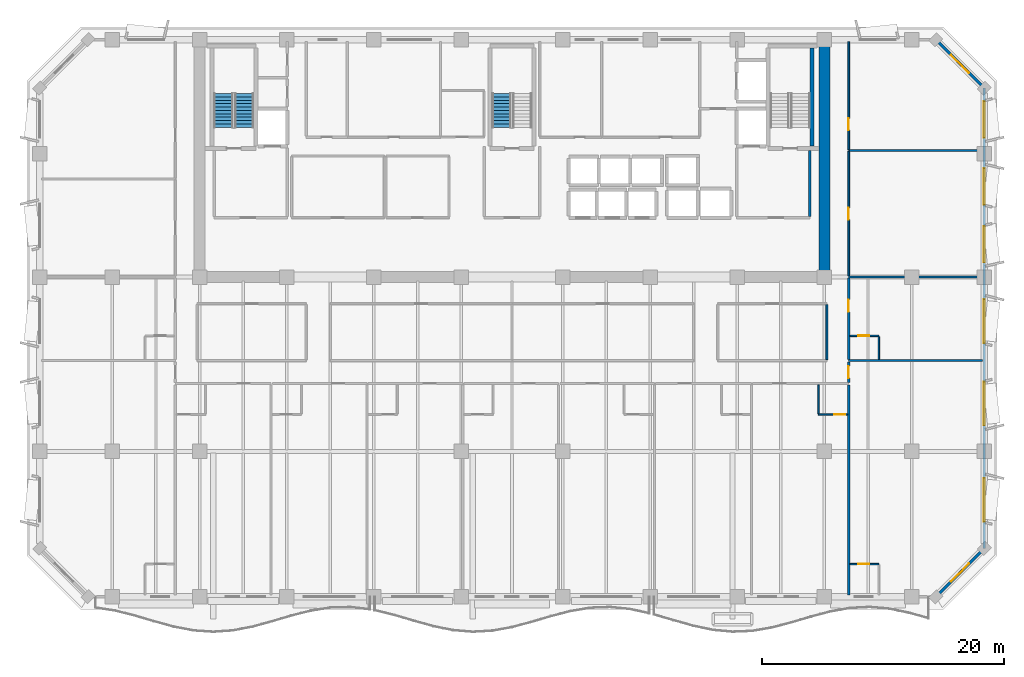
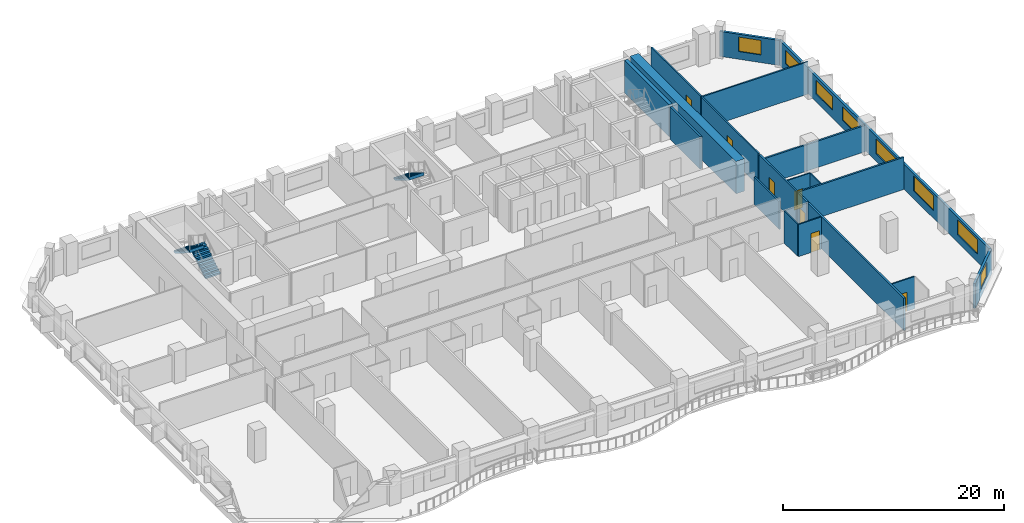
# One storey, part 9 of 15: 20 walls, 8 windows, 7 doors, 3 stair flights, 15 openings, 2 elements without a shape of their own.
"""IFC4 building model written with IfcOpenShell, lengths in metres."""

from ifc_helpers import new_model, si_unit, direction, frame, frame_2d, origin, place, context, subcontext, project, spatial, polyline, rectangle, outline, extrude, material, layer, layer_set, type_object, element, fill, aggregate, save


model = new_model("IFC4")

# Units and contexts
model_context = context("Model", 3, precision=1e-05, world=origin(), true_north=direction((0.0, 1.0)))
body_context = subcontext(model_context, "Body", "Model", "MODEL_VIEW")
ifc_project = project(units=[si_unit("LENGTHUNIT", "METRE"), si_unit("AREAUNIT", "SQUARE_METRE"), si_unit("VOLUMEUNIT", "CUBIC_METRE"), si_unit("PLANEANGLEUNIT", "RADIAN"), si_unit("MASSUNIT", "GRAM", prefix="KILO")], contexts=[model_context])

# Site, building, storey
site_placement = place(None, origin())
site = spatial("IfcSite", under=ifc_project, at=site_placement, CompositionType="ELEMENT")
building_placement = place(site_placement, origin())
building = spatial("IfcBuilding", under=site, at=building_placement, Name="Kaelvorn Grand Hotel", CompositionType="ELEMENT")
storey_placement = place(building_placement, frame((0.0, 0.0, 173.35009765625)))
storey = spatial("IfcBuildingStorey", under=building, at=storey_placement, Name="L42", CompositionType="ELEMENT", Elevation=173.35009765625)

# Wall
ifc_material_1 = material(Name="Concrete C60/75", Category="concrete")
ifc_layer_1 = layer(ifc_material_1, 0.89990234375)
ifc_layer_set_1 = layer_set([ifc_layer_1], Name="Concrete C60/75")
wall_type_1 = type_object("IfcWallType", Name="WL-CORE-900-C60", PredefinedType="SHEAR", material=ifc_layer_set_1)
wall_1_placement = place(storey_placement, frame((67.800048828125, 29.39990234375, 0.0), z_axis=(0.0, 0.0, 1.0), x_axis=(0.0, 1.0, 0.0)))
element("IfcWall", 1, at=wall_1_placement, inside=storey, type_object=wall_type_1, Name="L42 Rear-Core East Shear Wall", PredefinedType="SHEAR", context=body_context, shape_type="SweptSolid", body=[
    extrude(rectangle(XDim=19.2001953125, YDim=0.89990234375, at=frame_2d((9.60009765625, 0.0))), origin(), (0.0, 0.0, 1.0), 3.559814453125),
])

# Wall, opening, window
ifc_material_2 = material(Name="Concrete C40/50", Category="concrete")
ifc_layer_2 = layer(ifc_material_2, 0.239990234375)
ifc_layer_set_2 = layer_set([ifc_layer_2], Name="Concrete C40/50")
wall_type_2 = type_object("IfcWallType", Name="WL-EXT-240-C40", PredefinedType="SOLIDWALL", material=ifc_layer_set_2)
wall_2_placement = place(storey_placement, frame((77.0, 3.0, 0.0), z_axis=(0.0, 0.0, 1.0), x_axis=(0.707106781187, 0.707106781187, 0.0)))
wall_2 = element("IfcWall", 2, at=wall_2_placement, inside=storey, type_object=wall_type_2, Name="L42 Exterior Architectural Concrete Wall 02", PredefinedType="SOLIDWALL", context=body_context, shape_type="SweptSolid", body=[
    extrude(rectangle(XDim=5.65673828125, YDim=0.239990234375, at=frame_2d((2.828369140625, 0.0))), origin(), (0.0, 0.0, 1.0), 2.760009765625),
])
opening_1_placement = place(wall_2_placement, frame((1.7783203125, 0.0, 0.85009765625)))
opening_1 = element("IfcOpeningElement", 3, at=opening_1_placement, cuts=wall_2, Name="Opening W7", PredefinedType="OPENING", context=body_context, shape_type="SweptSolid", body=[
    extrude(rectangle(XDim=2.10009765625, YDim=1.60009765625, at=frame_2d((1.050048828125, 0.800048828125))), frame((0.0, 0.1298828125, 0.0), z_axis=(0.0, -1.0, 0.0), x_axis=(1.0, 0.0, 0.0)), (0.0, 0.0, 1.0), 0.260009765625),
])
ifc_material_3 = material(Name="Laminated Low-E Glass", Category="glass")
window_type_1 = type_object("IfcWindowType", Name="WIN-CHM-2100x1600", PartitioningType="SINGLE_PANEL", PredefinedType="WINDOW", material=ifc_material_3)
window_1_placement = place(opening_1_placement, origin())
window_1 = element("IfcWindow", 4, at=window_1_placement, inside=storey, type_object=window_type_1, Name="L42 Chamfered 45-Degree Corner Window SE", OverallHeight=1.60009765625, OverallWidth=2.10009765625, PartitioningType="SINGLE_PANEL", PredefinedType="WINDOW", context=body_context, shape_type="SweptSolid", body=[
    extrude(rectangle(XDim=2.10009765625, YDim=1.60009765625, at=frame_2d((1.050048828125, 0.800048828125))), frame((0.0, 0.030029296875, 0.0), z_axis=(0.0, -1.0, 0.0), x_axis=(1.0, 0.0, 0.0)), (0.0, 0.0, 1.0), 0.06005859375),
])
fill(opening_1, window_1)

# Wall, openings, windows
wall_3_placement = place(storey_placement, frame((81.0, 7.0, 0.0), z_axis=(0.0, 0.0, 1.0), x_axis=(0.0, 1.0, 0.0)))
wall_3 = element("IfcWall", 5, at=wall_3_placement, inside=storey, type_object=wall_type_2, Name="L42 Exterior Architectural Concrete Wall 03", PredefinedType="SOLIDWALL", context=body_context, shape_type="SweptSolid", body=[
    extrude(rectangle(XDim=38.0, YDim=0.239990234375, at=frame_2d((19.0, 0.0))), origin(), (0.0, 0.0, 1.0), 2.760009765625),
])
opening_2_placement = place(wall_3_placement, frame((2.199951171875, 0.0, 0.85009765625)))
opening_2 = element("IfcOpeningElement", 6, at=opening_2_placement, cuts=wall_3, Name="Opening W3", PredefinedType="OPENING", context=body_context, shape_type="SweptSolid", body=[
    extrude(rectangle(XDim=3.60009765625, YDim=1.64990234375, at=frame_2d((1.800048828125, 0.824951171875))), frame((0.0, 0.1298828125, 0.0), z_axis=(0.0, -1.0, 0.0), x_axis=(1.0, 0.0, 0.0)), (0.0, 0.0, 1.0), 0.260009765625),
])
opening_3_placement = place(wall_3_placement, frame((10.14990234375, 0.0, 0.85009765625)))
opening_3 = element("IfcOpeningElement", 7, at=opening_3_placement, cuts=wall_3, Name="Opening W3", PredefinedType="OPENING", context=body_context, shape_type="SweptSolid", body=[
    extrude(rectangle(XDim=3.60009765625, YDim=1.64990234375, at=frame_2d((1.800048828125, 0.824951171875))), frame((0.0, 0.1298828125, 0.0), z_axis=(0.0, -1.0, 0.0), x_axis=(1.0, 0.0, 0.0)), (0.0, 0.0, 1.0), 0.260009765625),
])
opening_4_placement = place(wall_3_placement, frame((16.949951171875, 0.0, 0.85009765625)))
opening_4 = element("IfcOpeningElement", 8, at=opening_4_placement, cuts=wall_3, Name="Opening W3", PredefinedType="OPENING", context=body_context, shape_type="SweptSolid", body=[
    extrude(rectangle(XDim=3.60009765625, YDim=1.64990234375, at=frame_2d((1.800048828125, 0.824951171875))), frame((0.0, 0.1298828125, 0.0), z_axis=(0.0, -1.0, 0.0), x_axis=(1.0, 0.0, 0.0)), (0.0, 0.0, 1.0), 0.260009765625),
])
opening_5_placement = place(wall_3_placement, frame((23.614990234375, 0.0, 0.85009765625)))
opening_5 = element("IfcOpeningElement", 9, at=opening_5_placement, cuts=wall_3, Name="Opening W5", PredefinedType="OPENING", context=body_context, shape_type="SweptSolid", body=[
    extrude(rectangle(XDim=3.0, YDim=1.5, at=frame_2d((1.5, 0.75))), frame((0.0, 0.1298828125, 0.0), z_axis=(0.0, -1.0, 0.0), x_axis=(1.0, 0.0, 0.0)), (0.0, 0.0, 1.0), 0.260009765625),
])
opening_6_placement = place(wall_3_placement, frame((28.385009765625, 0.0, 0.85009765625)))
opening_6 = element("IfcOpeningElement", 10, at=opening_6_placement, cuts=wall_3, Name="Opening W5", PredefinedType="OPENING", context=body_context, shape_type="SweptSolid", body=[
    extrude(rectangle(XDim=3.0, YDim=1.5, at=frame_2d((1.5, 0.75))), frame((0.0, 0.1298828125, 0.0), z_axis=(0.0, -1.0, 0.0), x_axis=(1.0, 0.0, 0.0)), (0.0, 0.0, 1.0), 0.260009765625),
])
opening_7_placement = place(wall_3_placement, frame((33.9150390625, 0.0, 0.85009765625)))
opening_7 = element("IfcOpeningElement", 11, at=opening_7_placement, cuts=wall_3, Name="Opening W5", PredefinedType="OPENING", context=body_context, shape_type="SweptSolid", body=[
    extrude(rectangle(XDim=3.0, YDim=1.5, at=frame_2d((1.5, 0.75))), frame((0.0, 0.1298828125, 0.0), z_axis=(0.0, -1.0, 0.0), x_axis=(1.0, 0.0, 0.0)), (0.0, 0.0, 1.0), 0.260009765625),
])
window_type_2 = type_object("IfcWindowType", Name="WIN-NTH-3000x1500", PartitioningType="SINGLE_PANEL", PredefinedType="WINDOW", material=ifc_material_3)
window_2_placement = place(opening_5_placement, origin())
window_2 = element("IfcWindow", 12, at=window_2_placement, inside=storey, type_object=window_type_2, Name="L42 E Wing Tilted-Frame Ribbon Window E04", OverallHeight=1.5, OverallWidth=3.0, PartitioningType="SINGLE_PANEL", PredefinedType="WINDOW", context=body_context, shape_type="SweptSolid", body=[
    extrude(rectangle(XDim=3.0, YDim=1.5, at=frame_2d((1.5, 0.75))), frame((0.0, 0.030029296875, 0.0), z_axis=(0.0, -1.0, 0.0), x_axis=(1.0, 0.0, 0.0)), (0.0, 0.0, 1.0), 0.06005859375),
])
fill(opening_5, window_2)
window_3_placement = place(opening_6_placement, origin())
window_3 = element("IfcWindow", 13, at=window_3_placement, inside=storey, type_object=window_type_2, Name="L42 E Wing Tilted-Frame Ribbon Window E05", OverallHeight=1.5, OverallWidth=3.0, PartitioningType="SINGLE_PANEL", PredefinedType="WINDOW", context=body_context, shape_type="SweptSolid", body=[
    extrude(rectangle(XDim=3.0, YDim=1.5, at=frame_2d((1.5, 0.75))), frame((0.0, 0.030029296875, 0.0), z_axis=(0.0, -1.0, 0.0), x_axis=(1.0, 0.0, 0.0)), (0.0, 0.0, 1.0), 0.06005859375),
])
fill(opening_6, window_3)
window_4_placement = place(opening_7_placement, origin())
window_4 = element("IfcWindow", 14, at=window_4_placement, inside=storey, type_object=window_type_2, Name="L42 E Wing Tilted-Frame Ribbon Window E06", OverallHeight=1.5, OverallWidth=3.0, PartitioningType="SINGLE_PANEL", PredefinedType="WINDOW", context=body_context, shape_type="SweptSolid", body=[
    extrude(rectangle(XDim=3.0, YDim=1.5, at=frame_2d((1.5, 0.75))), frame((0.0, 0.030029296875, 0.0), z_axis=(0.0, -1.0, 0.0), x_axis=(1.0, 0.0, 0.0)), (0.0, 0.0, 1.0), 0.06005859375),
])
fill(opening_7, window_4)
window_type_3 = type_object("IfcWindowType", Name="WIN-RIB-3600x1750", PartitioningType="SINGLE_PANEL", PredefinedType="WINDOW", material=ifc_material_3)
window_5_placement = place(opening_2_placement, origin())
window_5 = element("IfcWindow", 15, at=window_5_placement, inside=storey, type_object=window_type_3, Name="L42 E Wing Tilted-Frame Ribbon Window E01", OverallHeight=1.64990234375, OverallWidth=3.60009765625, PartitioningType="SINGLE_PANEL", PredefinedType="WINDOW", context=body_context, shape_type="SweptSolid", body=[
    extrude(rectangle(XDim=3.60009765625, YDim=1.64990234375, at=frame_2d((1.800048828125, 0.824951171875))), frame((0.0, 0.030029296875, 0.0), z_axis=(0.0, -1.0, 0.0), x_axis=(1.0, 0.0, 0.0)), (0.0, 0.0, 1.0), 0.06005859375),
])
fill(opening_2, window_5)
window_6_placement = place(opening_3_placement, origin())
window_6 = element("IfcWindow", 16, at=window_6_placement, inside=storey, type_object=window_type_3, Name="L42 E Wing Tilted-Frame Ribbon Window E02", OverallHeight=1.64990234375, OverallWidth=3.60009765625, PartitioningType="SINGLE_PANEL", PredefinedType="WINDOW", context=body_context, shape_type="SweptSolid", body=[
    extrude(rectangle(XDim=3.60009765625, YDim=1.64990234375, at=frame_2d((1.800048828125, 0.824951171875))), frame((0.0, 0.030029296875, 0.0), z_axis=(0.0, -1.0, 0.0), x_axis=(1.0, 0.0, 0.0)), (0.0, 0.0, 1.0), 0.06005859375),
])
fill(opening_3, window_6)
window_7_placement = place(opening_4_placement, origin())
window_7 = element("IfcWindow", 17, at=window_7_placement, inside=storey, type_object=window_type_3, Name="L42 E Wing Tilted-Frame Ribbon Window E03", OverallHeight=1.64990234375, OverallWidth=3.60009765625, PartitioningType="SINGLE_PANEL", PredefinedType="WINDOW", context=body_context, shape_type="SweptSolid", body=[
    extrude(rectangle(XDim=3.60009765625, YDim=1.64990234375, at=frame_2d((1.800048828125, 0.824951171875))), frame((0.0, 0.030029296875, 0.0), z_axis=(0.0, -1.0, 0.0), x_axis=(1.0, 0.0, 0.0)), (0.0, 0.0, 1.0), 0.06005859375),
])
fill(opening_4, window_7)

# Wall, opening, window
wall_4_placement = place(storey_placement, frame((81.0, 45.0, 0.0), z_axis=(0.0, 0.0, 1.0), x_axis=(-0.707106781187, 0.707106781187, 0.0)))
wall_4 = element("IfcWall", 18, at=wall_4_placement, inside=storey, type_object=wall_type_2, Name="L42 Exterior Architectural Concrete Wall 04", PredefinedType="SOLIDWALL", context=body_context, shape_type="SweptSolid", body=[
    extrude(rectangle(XDim=5.65673828125, YDim=0.239990234375, at=frame_2d((2.828369140625, 0.0))), origin(), (0.0, 0.0, 1.0), 2.760009765625),
])
opening_8_placement = place(wall_4_placement, frame((1.7783203125, 0.0, 0.85009765625)))
opening_8 = element("IfcOpeningElement", 19, at=opening_8_placement, cuts=wall_4, Name="Opening W7", PredefinedType="OPENING", context=body_context, shape_type="SweptSolid", body=[
    extrude(rectangle(XDim=2.10009765625, YDim=1.60009765625, at=frame_2d((1.050048828125, 0.800048828125))), frame((0.0, 0.1298828125, 0.0), z_axis=(0.0, -1.0, 0.0), x_axis=(1.0, 0.0, 0.0)), (0.0, 0.0, 1.0), 0.260009765625),
])
window_8_placement = place(opening_8_placement, origin())
window_8 = element("IfcWindow", 20, at=window_8_placement, inside=storey, type_object=window_type_1, Name="L42 Chamfered 45-Degree Corner Window NE", OverallHeight=1.60009765625, OverallWidth=2.10009765625, PartitioningType="SINGLE_PANEL", PredefinedType="WINDOW", context=body_context, shape_type="SweptSolid", body=[
    extrude(rectangle(XDim=2.10009765625, YDim=1.60009765625, at=frame_2d((1.050048828125, 0.800048828125))), frame((0.0, 0.030029296875, 0.0), z_axis=(0.0, -1.0, 0.0), x_axis=(1.0, 0.0, 0.0)), (0.0, 0.0, 1.0), 0.06005859375),
])
fill(opening_8, window_8)

# Wall, opening, door
ifc_material_4 = material(Name="Moisture-Resistant Tile & Stud Board")
ifc_layer_3 = layer(ifc_material_4, 0.125)
ifc_layer_set_3 = layer_set([ifc_layer_3], Name="Moisture-Resistant Tile & Stud Board")
wall_type_3 = type_object("IfcWallType", Name="WL-PART-125-WET", PredefinedType="PARTITIONING", material=ifc_layer_set_3)
wall_5_placement = place(storey_placement, frame((67.300048828125, 18.050048828125, 0.0), z_axis=(0.0, 0.0, 1.0), x_axis=(1.0, 0.0, 0.0)))
wall_5 = element("IfcWall", 21, at=wall_5_placement, inside=storey, type_object=wall_type_3, Name="L42 En-suite Bathroom L42-07 S Partition", PredefinedType="PARTITIONING", context=body_context, shape_type="SweptSolid", body=[
    extrude(rectangle(XDim=2.405029296875, YDim=0.125, at=frame_2d((1.20263671875, 0.0))), origin(), (0.0, 0.0, 1.0), 3.559814453125),
])
opening_9_placement = place(wall_5_placement, frame((1.300048828125, 0.0, 0.0)))
opening_9 = element("IfcOpeningElement", 22, at=opening_9_placement, cuts=wall_5, Name="Opening DI4", PredefinedType="OPENING", context=body_context, shape_type="SweptSolid", body=[
    extrude(rectangle(XDim=0.89990234375, YDim=2.10009765625, at=frame_2d((0.449951171875, 1.050048828125))), frame((0.0, 0.072509765625, 0.0), z_axis=(0.0, -1.0, 0.0), x_axis=(1.0, 0.0, 0.0)), (0.0, 0.0, 1.0), 0.14501953125),
])
ifc_material_5 = material(Name="Timber Veneer Leaf", Category="wood")
door_type_1 = type_object("IfcDoorType", Name="DR-INT-BATH-900x2100", OperationType="NOTDEFINED", PredefinedType="DOOR", material=ifc_material_5)
door_1_placement = place(opening_9_placement, origin())
door_1 = element("IfcDoor", 23, at=door_1_placement, inside=storey, type_object=door_type_1, Name="L42 En-suite Bathroom L42-07 Door", OperationType="SINGLE_SWING_RIGHT", OverallHeight=2.10009765625, OverallWidth=0.89990234375, PredefinedType="DOOR", context=body_context, shape_type="SweptSolid", body=[
    extrude(rectangle(XDim=0.89990234375, YDim=2.10009765625, at=frame_2d((0.449951171875, 1.050048828125))), frame((0.0, 0.02490234375, 0.0), z_axis=(0.0, -1.0, 0.0), x_axis=(1.0, 0.0, 0.0)), (0.0, 0.0, 1.0), 0.050048828125),
])
fill(opening_9, door_1)

# Wall
wall_6_placement = place(storey_placement, frame((67.300048828125, 18.117431640625, 0.0), z_axis=(0.0, 0.0, 1.0), x_axis=(0.0, 1.0, 0.0)))
element("IfcWall", 24, at=wall_6_placement, inside=storey, type_object=wall_type_3, Name="L42 En-suite Bathroom L42-07 W Partition", PredefinedType="PARTITIONING", context=body_context, shape_type="SweptSolid", body=[
    extrude(rectangle(XDim=2.387451171875, YDim=0.125, at=frame_2d((1.19384765625, 0.0))), origin(), (0.0, 0.0, 1.0), 3.559814453125),
])

# Wall, opening, door
wall_7_placement = place(storey_placement, frame((69.89501953125, 5.699951171875, 0.0), z_axis=(0.0, 0.0, 1.0), x_axis=(1.0, 0.0, 0.0)))
wall_7 = element("IfcWall", 25, at=wall_7_placement, inside=storey, type_object=wall_type_3, Name="L42 En-suite Bathroom L42-10 N Partition", PredefinedType="PARTITIONING", context=body_context, shape_type="SweptSolid", body=[
    extrude(rectangle(XDim=2.405029296875, YDim=0.125, at=frame_2d((1.20263671875, 0.0))), origin(), (0.0, 0.0, 1.0), 3.559814453125),
])
opening_10_placement = place(wall_7_placement, frame((0.705078125, 0.0, 0.0)))
opening_10 = element("IfcOpeningElement", 26, at=opening_10_placement, cuts=wall_7, Name="Opening DI4", PredefinedType="OPENING", context=body_context, shape_type="SweptSolid", body=[
    extrude(rectangle(XDim=0.89990234375, YDim=2.10009765625, at=frame_2d((0.449951171875, 1.050048828125))), frame((0.0, 0.072509765625, 0.0), z_axis=(0.0, -1.0, 0.0), x_axis=(1.0, 0.0, 0.0)), (0.0, 0.0, 1.0), 0.14501953125),
])
door_2_placement = place(opening_10_placement, origin())
door_2 = element("IfcDoor", 27, at=door_2_placement, inside=storey, type_object=door_type_1, Name="L42 En-suite Bathroom L42-10 Door", OperationType="SINGLE_SWING_RIGHT", OverallHeight=2.10009765625, OverallWidth=0.89990234375, PredefinedType="DOOR", context=body_context, shape_type="SweptSolid", body=[
    extrude(rectangle(XDim=0.89990234375, YDim=2.10009765625, at=frame_2d((0.449951171875, 1.050048828125))), frame((0.0, 0.02490234375, 0.0), z_axis=(0.0, -1.0, 0.0), x_axis=(1.0, 0.0, 0.0)), (0.0, 0.0, 1.0), 0.050048828125),
])
fill(opening_10, door_2)

wall_8_placement = place(storey_placement, frame((69.89501953125, 24.550048828125, 0.0), z_axis=(0.0, 0.0, 1.0), x_axis=(1.0, 0.0, 0.0)))
wall_8 = element("IfcWall", 28, at=wall_8_placement, inside=storey, type_object=wall_type_3, Name="L42 En-suite Bathroom L42-11 N Partition", PredefinedType="PARTITIONING", context=body_context, shape_type="SweptSolid", body=[
    extrude(rectangle(XDim=2.405029296875, YDim=0.125, at=frame_2d((1.20263671875, 0.0))), origin(), (0.0, 0.0, 1.0), 3.559814453125),
])
opening_11_placement = place(wall_8_placement, frame((0.705078125, 0.0, 0.0)))
opening_11 = element("IfcOpeningElement", 29, at=opening_11_placement, cuts=wall_8, Name="Opening DI4", PredefinedType="OPENING", context=body_context, shape_type="SweptSolid", body=[
    extrude(rectangle(XDim=0.89990234375, YDim=2.10009765625, at=frame_2d((0.449951171875, 1.050048828125))), frame((0.0, 0.072509765625, 0.0), z_axis=(0.0, -1.0, 0.0), x_axis=(1.0, 0.0, 0.0)), (0.0, 0.0, 1.0), 0.14501953125),
])
door_3_placement = place(opening_11_placement, origin())
door_3 = element("IfcDoor", 30, at=door_3_placement, inside=storey, type_object=door_type_1, Name="L42 En-suite Bathroom L42-11 Door", OperationType="SINGLE_SWING_RIGHT", OverallHeight=2.10009765625, OverallWidth=0.89990234375, PredefinedType="DOOR", context=body_context, shape_type="SweptSolid", body=[
    extrude(rectangle(XDim=0.89990234375, YDim=2.10009765625, at=frame_2d((0.449951171875, 1.050048828125))), frame((0.0, 0.02490234375, 0.0), z_axis=(0.0, -1.0, 0.0), x_axis=(1.0, 0.0, 0.0)), (0.0, 0.0, 1.0), 0.050048828125),
])
fill(opening_11, door_3)

# Walls
wall_9_placement = place(storey_placement, frame((72.300048828125, 22.594970703125, 0.0), z_axis=(0.0, 0.0, 1.0), x_axis=(0.0, 1.0, 0.0)))
element("IfcWall", 31, at=wall_9_placement, inside=storey, type_object=wall_type_3, Name="L42 En-suite Bathroom L42-11 E Partition", PredefinedType="PARTITIONING", context=body_context, shape_type="SweptSolid", body=[
    extrude(rectangle(XDim=1.887451171875, YDim=0.125, at=frame_2d((0.94384765625, 0.0))), origin(), (0.0, 0.0, 1.0), 3.559814453125),
])
ifc_material_6 = material(Name="Acoustic Gypsum & Stud Partition")
ifc_layer_4 = layer(ifc_material_6, 0.14990234375)
ifc_layer_set_4 = layer_set([ifc_layer_4], Name="Acoustic Gypsum & Stud Partition")
wall_type_4 = type_object("IfcWallType", Name="WL-PART-150-EI60", PredefinedType="PARTITIONING", material=ifc_layer_set_4)
wall_10_placement = place(storey_placement, frame((68.0, 22.580078125, 0.0), z_axis=(0.0, 0.0, 1.0), x_axis=(0.0, 1.0, 0.0)))
element("IfcWall", 32, at=wall_10_placement, inside=storey, type_object=wall_type_4, Name="L42 Press Briefing Office E Partition", PredefinedType="PARTITIONING", context=body_context, shape_type="SweptSolid", body=[
    extrude(rectangle(XDim=4.5400390625, YDim=0.14990234375, at=frame_2d((2.27001953125, 0.0))), origin(), (0.0, 0.0, 1.0), 3.059814453125),
])
wall_11_placement = place(storey_placement, frame((69.800048828125, 39.85009765625, 0.0), z_axis=(0.0, 0.0, 1.0), x_axis=(1.0, 0.0, 0.0)))
element("IfcWall", 33, at=wall_11_placement, inside=storey, type_object=wall_type_4, Name="L42 North-East Press Briefing Office N Partition", PredefinedType="PARTITIONING", context=body_context, shape_type="SweptSolid", body=[
    extrude(rectangle(XDim=11.050048828125, YDim=0.14990234375, at=frame_2d((5.52490234375, 0.0))), origin(), (0.0, 0.0, 1.0), 3.559814453125),
])

# Wall, opening, door
wall_12_placement = place(storey_placement, frame((69.800048828125, 29.4951171875, 0.0), z_axis=(0.0, 0.0, 1.0), x_axis=(0.0, 1.0, 0.0)))
wall_12 = element("IfcWall", 34, at=wall_12_placement, inside=storey, type_object=wall_type_4, Name="L42 North-East Press Briefing Office W Partition", PredefinedType="PARTITIONING", context=body_context, shape_type="SweptSolid", body=[
    extrude(rectangle(XDim=10.27490234375, YDim=0.14990234375, at=frame_2d((5.137451171875, 0.0))), origin(), (0.0, 0.0, 1.0), 3.559814453125),
])
opening_12_placement = place(wall_12_placement, frame((4.625, 0.0, 0.0)))
opening_12 = element("IfcOpeningElement", 35, at=opening_12_placement, cuts=wall_12, Name="Opening DI3", PredefinedType="OPENING", context=body_context, shape_type="SweptSolid", body=[
    extrude(rectangle(XDim=1.0, YDim=2.14990234375, at=frame_2d((0.5, 1.074951171875))), frame((0.0, 0.0849609375, 0.0), z_axis=(0.0, -1.0, 0.0), x_axis=(1.0, 0.0, 0.0)), (0.0, 0.0, 1.0), 0.169921875),
])
ifc_material_7 = material(Name="Timber Veneer Fire Leaf", Category="wood")
door_type_2 = type_object("IfcDoorType", Name="DR-INT-GUEST-1000x2150", OperationType="NOTDEFINED", PredefinedType="DOOR", material=ifc_material_7)
door_4_placement = place(opening_12_placement, origin())
door_4 = element("IfcDoor", 36, at=door_4_placement, inside=storey, type_object=door_type_2, Name="L42 North-East Press Briefing Office Door", OperationType="SINGLE_SWING_LEFT", OverallHeight=2.14990234375, OverallWidth=1.0, PredefinedType="DOOR", context=body_context, shape_type="SweptSolid", body=[
    extrude(rectangle(XDim=1.0, YDim=2.14990234375, at=frame_2d((0.5, 1.074951171875))), frame((0.0, 0.02490234375, 0.0), z_axis=(0.0, -1.0, 0.0), x_axis=(1.0, 0.0, 0.0)), (0.0, 0.0, 1.0), 0.050048828125),
])
fill(opening_12, door_4)

wall_13_placement = place(storey_placement, frame((69.800048828125, 39.929931640625, 0.0), z_axis=(0.0, 0.0, 1.0), x_axis=(0.0, 1.0, 0.0)))
wall_13 = element("IfcWall", 37, at=wall_13_placement, inside=storey, type_object=wall_type_4, Name="L42 North-East Private Cinema Lounge W Partition", PredefinedType="PARTITIONING", context=body_context, shape_type="SweptSolid", body=[
    extrude(rectangle(XDim=8.920166015625, YDim=0.14990234375, at=frame_2d((4.4599609375, 0.0))), origin(), (0.0, 0.0, 1.0), 3.559814453125),
])
opening_13_placement = place(wall_13_placement, frame((1.60009765625, 0.0, 0.0)))
opening_13 = element("IfcOpeningElement", 38, at=opening_13_placement, cuts=wall_13, Name="Opening DI3", PredefinedType="OPENING", context=body_context, shape_type="SweptSolid", body=[
    extrude(rectangle(XDim=1.0, YDim=2.14990234375, at=frame_2d((0.5, 1.074951171875))), frame((0.0, 0.0849609375, 0.0), z_axis=(0.0, -1.0, 0.0), x_axis=(1.0, 0.0, 0.0)), (0.0, 0.0, 1.0), 0.169921875),
])
door_5_placement = place(opening_13_placement, origin())
door_5 = element("IfcDoor", 39, at=door_5_placement, inside=storey, type_object=door_type_2, Name="L42 North-East Private Cinema Lounge Door", OperationType="SINGLE_SWING_RIGHT", OverallHeight=2.14990234375, OverallWidth=1.0, PredefinedType="DOOR", context=body_context, shape_type="SweptSolid", body=[
    extrude(rectangle(XDim=1.0, YDim=2.14990234375, at=frame_2d((0.5, 1.074951171875))), frame((0.0, 0.02490234375, 0.0), z_axis=(0.0, -1.0, 0.0), x_axis=(1.0, 0.0, 0.0)), (0.0, 0.0, 1.0), 0.050048828125),
])
fill(opening_13, door_5)

# Walls
ifc_layer_5 = layer(ifc_material_6, 0.179931640625)
ifc_layer_set_5 = layer_set([ifc_layer_5], Name="Acoustic Gypsum & Stud Partition")
wall_type_5 = type_object("IfcWallType", Name="WL-PART-180-EI60", PredefinedType="PARTITIONING", material=ifc_layer_set_5)
wall_14_placement = place(storey_placement, frame((69.800048828125, 3.14990234375, 0.0), z_axis=(0.0, 0.0, 1.0), x_axis=(0.0, 1.0, 0.0)))
element("IfcWall", 40, at=wall_14_placement, inside=storey, type_object=wall_type_5, Name="L42 Mid-Rise Signature Suite L42-07 E Partition", PredefinedType="PARTITIONING", context=body_context, shape_type="SweptSolid", body=[
    extrude(rectangle(XDim=17.35498046875, YDim=0.179931640625, at=frame_2d((8.677490234375, 0.0))), origin(), (0.0, 0.0, 1.0), 3.559814453125),
])
wall_15_placement = place(storey_placement, frame((69.800048828125, 22.5, 0.0), z_axis=(0.0, 0.0, 1.0), x_axis=(1.0, 0.0, 0.0)))
element("IfcWall", 41, at=wall_15_placement, inside=storey, type_object=wall_type_5, Name="L42 South-East Chamfer Suite L42-10 N Partition", PredefinedType="PARTITIONING", context=body_context, shape_type="SweptSolid", body=[
    extrude(rectangle(XDim=11.050048828125, YDim=0.179931640625, at=frame_2d((5.52490234375, 0.0))), origin(), (0.0, 0.0, 1.0), 3.559814453125),
])

# Wall, opening, door
wall_16_placement = place(storey_placement, frame((69.800048828125, 20.695068359375, 0.0), z_axis=(0.0, 0.0, 1.0), x_axis=(0.0, 1.0, 0.0)))
wall_16 = element("IfcWall", 42, at=wall_16_placement, inside=storey, type_object=wall_type_5, Name="L42 South-East Chamfer Suite L42-10 W Partition", PredefinedType="PARTITIONING", context=body_context, shape_type="SweptSolid", body=[
    extrude(rectangle(XDim=1.7099609375, YDim=0.179931640625, at=frame_2d((0.85498046875, 0.0))), origin(), (0.0, 0.0, 1.0), 3.559814453125),
])
opening_14_placement = place(wall_16_placement, frame((0.35498046875, 0.0, 0.0)))
opening_14 = element("IfcOpeningElement", 43, at=opening_14_placement, cuts=wall_16, Name="Opening DI3", PredefinedType="OPENING", context=body_context, shape_type="SweptSolid", body=[
    extrude(rectangle(XDim=1.0, YDim=2.14990234375, at=frame_2d((0.5, 1.074951171875))), frame((0.0, 0.10009765625, 0.0), z_axis=(0.0, -1.0, 0.0), x_axis=(1.0, 0.0, 0.0)), (0.0, 0.0, 1.0), 0.199951171875),
])
door_6_placement = place(opening_14_placement, origin())
door_6 = element("IfcDoor", 44, at=door_6_placement, inside=storey, type_object=door_type_2, Name="L42 South-East Chamfer Suite L42-10 Door", OperationType="SINGLE_SWING_LEFT", OverallHeight=2.14990234375, OverallWidth=1.0, PredefinedType="DOOR", context=body_context, shape_type="SweptSolid", body=[
    extrude(rectangle(XDim=1.0, YDim=2.14990234375, at=frame_2d((0.5, 1.074951171875))), frame((0.0, 0.02490234375, 0.0), z_axis=(0.0, -1.0, 0.0), x_axis=(1.0, 0.0, 0.0)), (0.0, 0.0, 1.0), 0.050048828125),
])
fill(opening_14, door_6)

# Wall
wall_17_placement = place(storey_placement, frame((69.800048828125, 29.39990234375, 0.0), z_axis=(0.0, 0.0, 1.0), x_axis=(1.0, 0.0, 0.0)))
element("IfcWall", 45, at=wall_17_placement, inside=storey, type_object=wall_type_5, Name="L42 East End Panoramic Suite L42-11 N Partition", PredefinedType="PARTITIONING", context=body_context, shape_type="SweptSolid", body=[
    extrude(rectangle(XDim=11.050048828125, YDim=0.179931640625, at=frame_2d((5.52490234375, 0.0))), origin(), (0.0, 0.0, 1.0), 2.909912109375),
])

# Wall, opening, door
wall_18_placement = place(storey_placement, frame((69.800048828125, 22.594970703125, 0.0), z_axis=(0.0, 0.0, 1.0), x_axis=(0.0, 1.0, 0.0)))
wall_18 = element("IfcWall", 46, at=wall_18_placement, inside=storey, type_object=wall_type_5, Name="L42 East End Panoramic Suite L42-11 W Partition", PredefinedType="PARTITIONING", context=body_context, shape_type="SweptSolid", body=[
    extrude(rectangle(XDim=6.7099609375, YDim=0.179931640625, at=frame_2d((3.35498046875, 0.0))), origin(), (0.0, 0.0, 1.0), 3.559814453125),
])
opening_15_placement = place(wall_18_placement, frame((3.93994140625, 0.0, 0.0)))
opening_15 = element("IfcOpeningElement", 47, at=opening_15_placement, cuts=wall_18, Name="Opening DI3", PredefinedType="OPENING", context=body_context, shape_type="SweptSolid", body=[
    extrude(rectangle(XDim=1.0, YDim=2.14990234375, at=frame_2d((0.5, 1.074951171875))), frame((0.0, 0.10009765625, 0.0), z_axis=(0.0, -1.0, 0.0), x_axis=(1.0, 0.0, 0.0)), (0.0, 0.0, 1.0), 0.199951171875),
])
door_7_placement = place(opening_15_placement, origin())
door_7 = element("IfcDoor", 48, at=door_7_placement, inside=storey, type_object=door_type_2, Name="L42 East End Panoramic Suite L42-11 Door", OperationType="SINGLE_SWING_LEFT", OverallHeight=2.14990234375, OverallWidth=1.0, PredefinedType="DOOR", context=body_context, shape_type="SweptSolid", body=[
    extrude(rectangle(XDim=1.0, YDim=2.14990234375, at=frame_2d((0.5, 1.074951171875))), frame((0.0, 0.02490234375, 0.0), z_axis=(0.0, -1.0, 0.0), x_axis=(1.0, 0.0, 0.0)), (0.0, 0.0, 1.0), 0.050048828125),
])
fill(opening_15, door_7)

# Walls
ifc_layer_6 = layer(ifc_material_2, 0.219970703125)
ifc_layer_set_6 = layer_set([ifc_layer_6], Name="Concrete C40/50")
wall_type_6 = type_object("IfcWallType", Name="WL-PART-220-EI120", PredefinedType="PARTITIONING", material=ifc_layer_set_6)
wall_19_placement = place(storey_placement, frame((66.60009765625, 34.4150390625, 0.0), z_axis=(0.0, 0.0, 1.0), x_axis=(0.0, 1.0, 0.0)))
element("IfcWall", 49, at=wall_19_placement, inside=storey, type_object=wall_type_6, Name="L42 Firefighting Lift Lobby 2 E Partition", PredefinedType="PARTITIONING", context=body_context, shape_type="SweptSolid", body=[
    extrude(rectangle(XDim=5.429931640625, YDim=0.219970703125, at=frame_2d((2.71484375, 0.0))), origin(), (0.0, 0.0, 1.0), 3.559814453125),
])
ifc_layer_7 = layer(ifc_material_1, 0.35009765625)
ifc_layer_set_7 = layer_set([ifc_layer_7], Name="Concrete C60/75")
wall_type_7 = type_object("IfcWallType", Name="WL-SHAFT-350-C60", PredefinedType="SHEAR", material=ifc_layer_set_7)
wall_20_placement = place(storey_placement, frame((66.77490234375, 40.205078125, 0.0), z_axis=(0.0, 0.0, 1.0), x_axis=(0.0, 1.0, 0.0)))
element("IfcWall", 50, at=wall_20_placement, inside=storey, type_object=wall_type_7, Name="L42 ST3 Stair Shaft East Wall", PredefinedType="SHEAR", context=body_context, shape_type="SweptSolid", body=[
    extrude(rectangle(XDim=8.08984375, YDim=0.35009765625, at=frame_2d((4.044921875, 0.0))), origin(), (0.0, 0.0, 1.0), 3.559814453125),
])

# Stair, stair flights
stair_type = type_object("IfcStairType", Name="STR-DOG-1560-R08", PredefinedType="HALF_TURN_STAIR", material=ifc_material_2)
stair_1_placement = place(storey_placement, origin())
stair_1 = element("IfcStair", 51, at=stair_1_placement, inside=storey, type_object=stair_type, Name="L42 West Core Exit Stair ST1", PredefinedType="HALF_TURN_STAIR")
stair_flight_type = type_object("IfcStairFlightType", Name="FLG-DOG-1560-R08", PredefinedType="STRAIGHT", material=ifc_material_2)
stair_flight_1_placement = place(storey_placement, frame((19.89990234375, 41.760009765625, 0.0), z_axis=(0.0, 0.0, 1.0), x_axis=(0.0, 1.0, 0.0)))
stair_flight_1 = element("IfcStairFlight", 52, at=stair_flight_1_placement, type_object=stair_flight_type, Name="ST1 flight 1", NumberOfRisers=11, NumberOfTreads=10, PredefinedType="STRAIGHT", RiserHeight=0.172727273, TreadLength=0.28, context=body_context, shape_type="SweptSolid", body=[
    extrude(outline(polyline([(-0.0048828125, 0.0), (-0.0048828125, 0.0400390625), (0.0, 0.172607421875), (0.280029296875, 0.172607421875), (0.280029296875, 0.345458984375), (0.56005859375, 0.345458984375), (0.56005859375, 0.51806640625), (0.840087890625, 0.51806640625), (0.840087890625, 0.69091796875), (1.1201171875, 0.69091796875), (1.1201171875, 0.863525390625), (1.39990234375, 0.863525390625), (1.39990234375, 1.036376953125), (1.679931640625, 1.036376953125), (1.679931640625, 1.208984375), (1.9599609375, 1.208984375), (1.9599609375, 1.3818359375), (2.239990234375, 1.3818359375), (2.239990234375, 1.554443359375), (2.52001953125, 1.554443359375), (2.52001953125, 1.727294921875), (2.800048828125, 1.727294921875), (2.800048828125, 1.89990234375), (2.804931640625, 1.89990234375), (2.804931640625, 1.551025390625), (0.285400390625, 0.0), (-0.0048828125, 0.0)])), frame((0.0, 0.780029296875, 0.0), z_axis=(0.0, -1.0, 0.0), x_axis=(1.0, 0.0, 0.0)), (0.0, 0.0, 1.0), 1.56005859375),
])
stair_flight_2_placement = place(storey_placement, frame((18.179931640625, 44.56005859375, 1.89990234375), z_axis=(0.0, 0.0, 1.0), x_axis=(0.0, -1.0, 0.0)))
stair_flight_2 = element("IfcStairFlight", 53, at=stair_flight_2_placement, type_object=stair_flight_type, Name="ST1 flight 2", NumberOfRisers=11, NumberOfTreads=10, PredefinedType="STRAIGHT", RiserHeight=0.172727273, TreadLength=0.28, context=body_context, shape_type="SweptSolid", body=[
    extrude(outline(polyline([(-0.0048828125, 0.0), (-0.0048828125, 0.0400390625), (0.0, 0.172607421875), (0.280029296875, 0.172607421875), (0.280029296875, 0.345458984375), (0.56005859375, 0.345458984375), (0.56005859375, 0.51806640625), (0.840087890625, 0.51806640625), (0.840087890625, 0.69091796875), (1.1201171875, 0.69091796875), (1.1201171875, 0.863525390625), (1.39990234375, 0.863525390625), (1.39990234375, 1.036376953125), (1.679931640625, 1.036376953125), (1.679931640625, 1.208984375), (1.9599609375, 1.208984375), (1.9599609375, 1.3818359375), (2.239990234375, 1.3818359375), (2.239990234375, 1.554443359375), (2.52001953125, 1.554443359375), (2.52001953125, 1.727294921875), (2.800048828125, 1.727294921875), (2.800048828125, 1.89990234375), (2.804931640625, 1.89990234375), (2.804931640625, 1.551025390625), (0.285400390625, 0.0), (-0.0048828125, 0.0)])), frame((0.0, 0.780029296875, 0.0), z_axis=(0.0, -1.0, 0.0), x_axis=(1.0, 0.0, 0.0)), (0.0, 0.0, 1.0), 1.56005859375),
])
aggregate(stair_1, [stair_flight_1, stair_flight_2])

# Stair, stair flight
stair_2_placement = place(storey_placement, origin())
stair_2 = element("IfcStair", 54, at=stair_2_placement, inside=storey, type_object=stair_type, Name="L42 Central Core Exit Stair ST2", PredefinedType="HALF_TURN_STAIR")
stair_flight_3_placement = place(storey_placement, frame((41.139892578125, 44.56005859375, 1.89990234375), z_axis=(0.0, 0.0, 1.0), x_axis=(0.0, -1.0, 0.0)))
stair_flight_3 = element("IfcStairFlight", 55, at=stair_flight_3_placement, type_object=stair_flight_type, Name="ST2 flight 2", NumberOfRisers=11, NumberOfTreads=10, PredefinedType="STRAIGHT", RiserHeight=0.172727273, TreadLength=0.28, context=body_context, shape_type="SweptSolid", body=[
    extrude(outline(polyline([(-0.0048828125, 0.0), (-0.0048828125, 0.0400390625), (0.0, 0.172607421875), (0.280029296875, 0.172607421875), (0.280029296875, 0.345458984375), (0.56005859375, 0.345458984375), (0.56005859375, 0.51806640625), (0.840087890625, 0.51806640625), (0.840087890625, 0.69091796875), (1.1201171875, 0.69091796875), (1.1201171875, 0.863525390625), (1.39990234375, 0.863525390625), (1.39990234375, 1.036376953125), (1.679931640625, 1.036376953125), (1.679931640625, 1.208984375), (1.9599609375, 1.208984375), (1.9599609375, 1.3818359375), (2.239990234375, 1.3818359375), (2.239990234375, 1.554443359375), (2.52001953125, 1.554443359375), (2.52001953125, 1.727294921875), (2.800048828125, 1.727294921875), (2.800048828125, 1.89990234375), (2.804931640625, 1.89990234375), (2.804931640625, 1.551025390625), (0.285400390625, 0.0), (-0.0048828125, 0.0)])), frame((0.0, 0.780029296875, 0.0), z_axis=(0.0, -1.0, 0.0), x_axis=(1.0, 0.0, 0.0)), (0.0, 0.0, 1.0), 1.56005859375),
])
aggregate(stair_2, [stair_flight_3])

save(model, "model.ifc")
